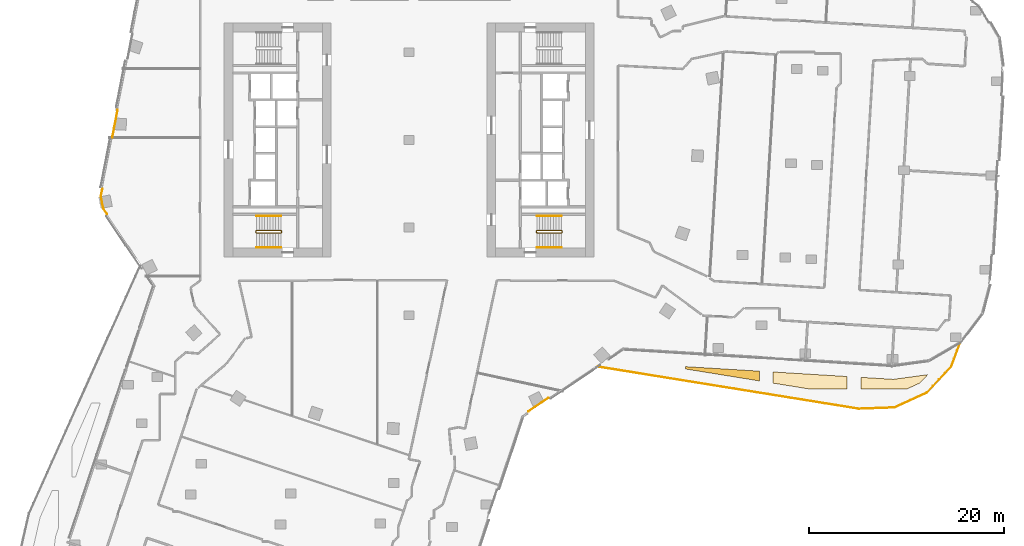
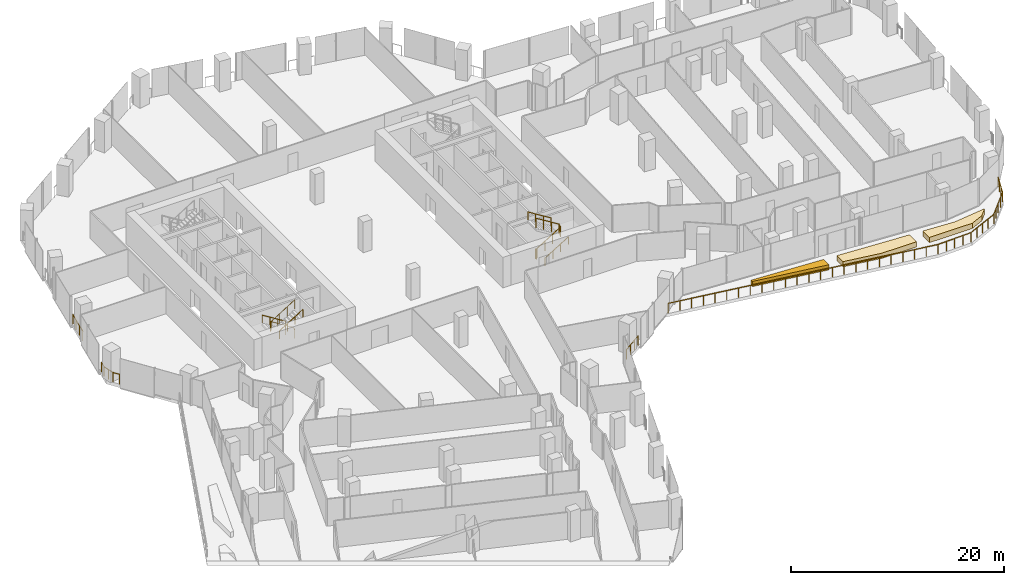
# One storey, part 31 of 34: 10 railings, 3 coverings.
"""IFC4 building model written with IfcOpenShell, lengths in metres."""

from ifc_helpers import new_model, si_unit, direction, frame, origin, origin_2d, place, context, subcontext, project, spatial, polyline, circle, outline, extrude, material, layer, layer_set, type_object, element, save


model = new_model("IFC4")

# Units and contexts
model_context = context("Model", 3, precision=1e-05, world=origin(), true_north=direction((0.0, 1.0)))
body_context = subcontext(model_context, "Body", "Model", "MODEL_VIEW")
ifc_project = project(units=[si_unit("LENGTHUNIT", "METRE"), si_unit("AREAUNIT", "SQUARE_METRE"), si_unit("VOLUMEUNIT", "CUBIC_METRE"), si_unit("PLANEANGLEUNIT", "RADIAN"), si_unit("MASSUNIT", "GRAM", prefix="KILO")], contexts=[model_context])

# Site, building, storey
site_placement = place(None, origin())
site = spatial("IfcSite", under=ifc_project, at=site_placement, CompositionType="ELEMENT")
building_placement = place(site_placement, origin())
building = spatial("IfcBuilding", under=site, at=building_placement, Name="Orlundy Tower", CompositionType="ELEMENT")
storey_placement = place(building_placement, frame((0.0, 0.0, 145.60009765625)))
storey = spatial("IfcBuildingStorey", under=building, at=storey_placement, Name="L37", CompositionType="ELEMENT", Elevation=145.60009765625)

# Coverings
ifc_material_1 = material(Name="Planted soil in precast concrete trough", Category="concrete")
ifc_layer = layer(ifc_material_1, 0.60009765625)
ifc_layer_set = layer_set([ifc_layer], Name="PLANTER box")
covering_type = type_object("IfcCoveringType", Name="PLANTER box", PredefinedType="USERDEFINED", material=ifc_layer_set)
covering_1_placement = place(storey_placement, origin())
element("IfcCovering", 1, at=covering_1_placement, inside=storey, type_object=covering_type, Name="PLANTER L37-00", ObjectType="PLANTER", PredefinedType="USERDEFINED", context=body_context, shape_type="SweptSolid", body=[
    extrude(outline(polyline([(28.39990234375, -23.52392578125), (28.39990234375, -23.277099609375), (36.0, -23.741943359375), (36.0, -24.7509765625), (28.39990234375, -23.52392578125)])), origin(), (0.0, 0.0, 1.0), 0.599853515625),
])
covering_2_placement = place(storey_placement, origin())
element("IfcCovering", 2, at=covering_2_placement, inside=storey, type_object=covering_type, Name="PLANTER L37-01", ObjectType="PLANTER", PredefinedType="USERDEFINED", context=body_context, shape_type="SweptSolid", body=[
    extrude(outline(polyline([(37.39990234375, -24.97705078125), (37.39990234375, -23.826904296875), (45.0, -24.2919921875), (45.0, -25.60009765625), (41.261962890625, -25.60009765625), (37.39990234375, -24.97705078125)])), origin(), (0.0, 0.0, 1.0), 0.599853515625),
])
covering_3_placement = place(storey_placement, origin())
element("IfcCovering", 3, at=covering_3_placement, inside=storey, type_object=covering_type, Name="PLANTER L37-02", ObjectType="PLANTER", PredefinedType="USERDEFINED", context=body_context, shape_type="SweptSolid", body=[
    extrude(outline(polyline([(51.071044921875, -25.60009765625), (46.39990234375, -25.60009765625), (46.39990234375, -24.3779296875), (49.739990234375, -24.58203125), (53.27099609375, -24.10205078125), (52.47412109375, -24.9580078125), (51.071044921875, -25.60009765625)])), origin(), (0.0, 0.0, 1.0), 0.599853515625),
])

# Railings
ifc_material_2 = material(Name="Steel balustrade", Category="steel")
railing_type_1 = type_object("IfcRailingType", Name="Stair Guard 1100", PredefinedType="GUARDRAIL", material=ifc_material_2)
railing_1_placement = place(storey_placement, frame((-13.090087890625, -9.35009765625, 0.0)))
element("IfcRailing", 4, at=railing_1_placement, inside=storey, type_object=railing_type_1, Name="L37 ST-W2 stair guard 1", PredefinedType="GUARDRAIL", context=body_context, shape_type="SweptSolid", body=[
    extrude(circle(Radius=0.02392578125, at=origin_2d()), frame((0.0, 0.0, 1.076171875), z_axis=(0.0, -1.0, 0.0), x_axis=(1.0, 0.0, 0.0)), (0.0, 0.0, 1.0), 0.14990234375),
    extrude(circle(Radius=0.02392578125, at=origin_2d()), frame((0.0, -0.14990234375, 1.076171875), z_axis=(-0.184313129624, 0.739963005698, 0.646902945152), x_axis=(-0.970351222016, -0.241699205484, 0.0)), (0.0, 0.0, 1.0), 0.270263671875),
    extrude(circle(Radius=0.02392578125, at=origin_2d()), frame((-0.0498046875, 0.050048828125, 1.2509765625), z_axis=(-0.847970611238, 0.0, 0.530043245855), x_axis=(0.0, -1.0, 0.0)), (0.0, 0.0, 1.0), 2.971923828125),
    extrude(circle(Radius=0.02392578125, at=origin_2d()), frame((-2.56982421875, 0.050048828125, 2.826171875), z_axis=(-0.707106781187, -0.707106781187, 0.0), x_axis=(0.707106781187, -0.707106781187, 0.0)), (0.0, 0.0, 1.0), 0.07080078125),
    extrude(circle(Radius=0.02392578125, at=origin_2d()), frame((-2.619873046875, 0.0, 2.826171875), z_axis=(0.0, -1.0, 0.0), x_axis=(1.0, 0.0, 0.0)), (0.0, 0.0, 1.0), 0.14990234375),
    extrude(circle(Radius=0.02392578125, at=origin_2d()), frame((-2.619873046875, -0.14990234375, 2.826171875), z_axis=(0.265383341853, -0.265383341853, 0.926899867156), x_axis=(0.707106781187, 0.707106781187, 0.0)), (0.0, 0.0, 1.0), 0.1884765625),
    extrude(circle(Radius=0.02392578125, at=origin_2d()), frame((-2.56982421875, -0.199951171875, 3.0009765625), z_axis=(0.847970611238, 0.0, 0.530043245855), x_axis=(0.0, 1.0, 0.0)), (0.0, 0.0, 1.0), 2.971923828125),
    extrude(circle(Radius=0.02099609375, at=origin_2d()), origin(), (0.0, 0.0, 1.0), 1.052001953125),
    extrude(circle(Radius=0.02099609375, at=origin_2d()), frame((0.0, -0.14990234375, 0.0)), (0.0, 0.0, 1.0), 1.052001953125),
    extrude(circle(Radius=0.02099609375, at=origin_2d()), frame((-0.0498046875, 0.050048828125, 0.1748046875)), (0.0, 0.0, 1.0), 1.052001953125),
    extrude(circle(Radius=0.02099609375, at=origin_2d()), frame((-0.889892578125, 0.050048828125, 0.699951171875)), (0.0, 0.0, 1.0), 1.052001953125),
    extrude(circle(Radius=0.02099609375, at=origin_2d()), frame((-1.729736328125, 0.050048828125, 1.224853515625)), (0.0, 0.0, 1.0), 1.052001953125),
    extrude(circle(Radius=0.02099609375, at=origin_2d()), frame((-2.56982421875, 0.050048828125, 1.75)), (0.0, 0.0, 1.0), 1.052001953125),
    extrude(circle(Radius=0.02099609375, at=origin_2d()), frame((-2.619873046875, 0.0, 1.75)), (0.0, 0.0, 1.0), 1.052001953125),
    extrude(circle(Radius=0.02099609375, at=origin_2d()), frame((-2.619873046875, -0.14990234375, 1.75)), (0.0, 0.0, 1.0), 1.052001953125),
    extrude(circle(Radius=0.02099609375, at=origin_2d()), frame((-2.56982421875, -0.199951171875, 1.9248046875)), (0.0, 0.0, 1.0), 1.052001953125),
    extrude(circle(Radius=0.02099609375, at=origin_2d()), frame((-1.729736328125, -0.199951171875, 2.449951171875)), (0.0, 0.0, 1.0), 1.052001953125),
    extrude(circle(Radius=0.02099609375, at=origin_2d()), frame((-0.889892578125, -0.199951171875, 2.974853515625)), (0.0, 0.0, 1.0), 1.052001953125),
    extrude(circle(Radius=0.02099609375, at=origin_2d()), frame((-0.0498046875, -0.199951171875, 3.5)), (0.0, 0.0, 1.0), 1.052001953125),
])
railing_2_placement = place(storey_placement, frame((13.090087890625, -9.5, 0.0)))
element("IfcRailing", 5, at=railing_2_placement, inside=storey, type_object=railing_type_1, Name="L37 ST-E1 stair guard 1", PredefinedType="GUARDRAIL", context=body_context, shape_type="SweptSolid", body=[
    extrude(circle(Radius=0.02392578125, at=origin_2d()), frame((0.0, 0.0, 1.076171875), z_axis=(0.0, 1.0, 0.0), x_axis=(-1.0, 0.0, 0.0)), (0.0, 0.0, 1.0), 0.14990234375),
    extrude(circle(Radius=0.02392578125, at=origin_2d()), frame((0.0, 0.14990234375, 1.076171875), z_axis=(0.184313129624, -0.739963005698, 0.646902945152), x_axis=(0.970351222016, 0.241699205484, 0.0)), (0.0, 0.0, 1.0), 0.270263671875),
    extrude(circle(Radius=0.02392578125, at=origin_2d()), frame((0.0498046875, -0.050048828125, 1.2509765625), z_axis=(0.847970611238, 0.0, 0.530043245855), x_axis=(0.0, 1.0, 0.0)), (0.0, 0.0, 1.0), 2.971923828125),
    extrude(circle(Radius=0.02392578125, at=origin_2d()), frame((2.56982421875, -0.050048828125, 2.826171875), z_axis=(0.707106781187, 0.707106781187, 0.0), x_axis=(-0.707106781187, 0.707106781187, 0.0)), (0.0, 0.0, 1.0), 0.07080078125),
    extrude(circle(Radius=0.02392578125, at=origin_2d()), frame((2.619873046875, 0.0, 2.826171875), z_axis=(0.0, 1.0, 0.0), x_axis=(-1.0, 0.0, 0.0)), (0.0, 0.0, 1.0), 0.14990234375),
    extrude(circle(Radius=0.02392578125, at=origin_2d()), frame((2.619873046875, 0.14990234375, 2.826171875), z_axis=(-0.265383341853, 0.265383341853, 0.926899867156), x_axis=(-0.707106781187, -0.707106781187, 0.0)), (0.0, 0.0, 1.0), 0.1884765625),
    extrude(circle(Radius=0.02392578125, at=origin_2d()), frame((2.56982421875, 0.199951171875, 3.0009765625), z_axis=(-0.847970611238, 0.0, 0.530043245855), x_axis=(0.0, -1.0, 0.0)), (0.0, 0.0, 1.0), 2.971923828125),
    extrude(circle(Radius=0.02099609375, at=origin_2d()), origin(), (0.0, 0.0, 1.0), 1.052001953125),
    extrude(circle(Radius=0.02099609375, at=origin_2d()), frame((0.0, 0.14990234375, 0.0)), (0.0, 0.0, 1.0), 1.052001953125),
    extrude(circle(Radius=0.02099609375, at=origin_2d()), frame((0.0498046875, -0.050048828125, 0.1748046875)), (0.0, 0.0, 1.0), 1.052001953125),
    extrude(circle(Radius=0.02099609375, at=origin_2d()), frame((0.889892578125, -0.050048828125, 0.699951171875)), (0.0, 0.0, 1.0), 1.052001953125),
    extrude(circle(Radius=0.02099609375, at=origin_2d()), frame((1.729736328125, -0.050048828125, 1.224853515625)), (0.0, 0.0, 1.0), 1.052001953125),
    extrude(circle(Radius=0.02099609375, at=origin_2d()), frame((2.56982421875, -0.050048828125, 1.75)), (0.0, 0.0, 1.0), 1.052001953125),
    extrude(circle(Radius=0.02099609375, at=origin_2d()), frame((2.619873046875, 0.0, 1.75)), (0.0, 0.0, 1.0), 1.052001953125),
    extrude(circle(Radius=0.02099609375, at=origin_2d()), frame((2.619873046875, 0.14990234375, 1.75)), (0.0, 0.0, 1.0), 1.052001953125),
    extrude(circle(Radius=0.02099609375, at=origin_2d()), frame((2.56982421875, 0.199951171875, 1.9248046875)), (0.0, 0.0, 1.0), 1.052001953125),
    extrude(circle(Radius=0.02099609375, at=origin_2d()), frame((1.729736328125, 0.199951171875, 2.449951171875)), (0.0, 0.0, 1.0), 1.052001953125),
    extrude(circle(Radius=0.02099609375, at=origin_2d()), frame((0.889892578125, 0.199951171875, 2.974853515625)), (0.0, 0.0, 1.0), 1.052001953125),
    extrude(circle(Radius=0.02099609375, at=origin_2d()), frame((0.0498046875, 0.199951171875, 3.5)), (0.0, 0.0, 1.0), 1.052001953125),
])
ifc_material_3 = material(Name="Steel handrail", Category="steel")
railing_type_2 = type_object("IfcRailingType", Name="Stair Handrail 900", PredefinedType="HANDRAIL", material=ifc_material_3)
railing_3_placement = place(storey_placement, frame((-13.139892578125, -7.800048828125, 0.1748046875)))
element("IfcRailing", 6, at=railing_3_placement, inside=storey, type_object=railing_type_2, Name="L37 ST-W2 stair handrail 1", PredefinedType="HANDRAIL", context=body_context, shape_type="SweptSolid", body=[
    extrude(circle(Radius=0.02392578125, at=origin_2d()), frame((0.0, 0.0, 0.8759765625), z_axis=(-0.847970611238, 0.0, 0.530043245855), x_axis=(0.0, -1.0, 0.0)), (0.0, 0.0, 1.0), 2.971923828125),
    extrude(circle(Radius=0.02099609375, at=origin_2d()), origin(), (0.0, 0.0, 1.0), 0.851806640625),
    extrude(circle(Radius=0.02099609375, at=origin_2d()), frame((-0.840087890625, 0.0, 0.525146484375)), (0.0, 0.0, 1.0), 0.851806640625),
    extrude(circle(Radius=0.02099609375, at=origin_2d()), frame((-1.679931640625, 0.0, 1.050048828125)), (0.0, 0.0, 1.0), 0.851806640625),
    extrude(circle(Radius=0.02099609375, at=origin_2d()), frame((-2.52001953125, 0.0, 1.5751953125)), (0.0, 0.0, 1.0), 0.851806640625),
])
for number, where, name in (
    (7, (-15.659912109375, -11.050048828125, 1.9248046875), "L37 ST-W2 stair handrail 2"),
    (8, (13.139892578125, -11.050048828125, 0.1748046875), "L37 ST-E1 stair handrail 1"),
):
    element("IfcRailing", number, at=place(storey_placement, frame(where)), inside=storey, type_object=railing_type_2, Name=name, PredefinedType="HANDRAIL", context=body_context, shape_type="SweptSolid", body=[
        extrude(circle(Radius=0.02392578125, at=origin_2d()), frame((0.0, 0.0, 0.8759765625), z_axis=(0.847970611238, 0.0, 0.530043245855), x_axis=(0.0, 1.0, 0.0)), (0.0, 0.0, 1.0), 2.971923828125),
        extrude(circle(Radius=0.02099609375, at=origin_2d()), origin(), (0.0, 0.0, 1.0), 0.851806640625),
        extrude(circle(Radius=0.02099609375, at=origin_2d()), frame((0.840087890625, 0.0, 0.525146484375)), (0.0, 0.0, 1.0), 0.851806640625),
        extrude(circle(Radius=0.02099609375, at=origin_2d()), frame((1.679931640625, 0.0, 1.050048828125)), (0.0, 0.0, 1.0), 0.851806640625),
        extrude(circle(Radius=0.02099609375, at=origin_2d()), frame((2.52001953125, 0.0, 1.5751953125)), (0.0, 0.0, 1.0), 0.851806640625),
    ])
railing_4_placement = place(storey_placement, frame((15.659912109375, -7.800048828125, 1.9248046875)))
element("IfcRailing", 9, at=railing_4_placement, inside=storey, type_object=railing_type_2, Name="L37 ST-E1 stair handrail 2", PredefinedType="HANDRAIL", context=body_context, shape_type="SweptSolid", body=[
    extrude(circle(Radius=0.02392578125, at=origin_2d()), frame((0.0, 0.0, 0.8759765625), z_axis=(-0.847970611238, 0.0, 0.530043245855), x_axis=(0.0, -1.0, 0.0)), (0.0, 0.0, 1.0), 2.971923828125),
    extrude(circle(Radius=0.02099609375, at=origin_2d()), origin(), (0.0, 0.0, 1.0), 0.851806640625),
    extrude(circle(Radius=0.02099609375, at=origin_2d()), frame((-0.840087890625, 0.0, 0.525146484375)), (0.0, 0.0, 1.0), 0.851806640625),
    extrude(circle(Radius=0.02099609375, at=origin_2d()), frame((-1.679931640625, 0.0, 1.050048828125)), (0.0, 0.0, 1.0), 0.851806640625),
    extrude(circle(Radius=0.02099609375, at=origin_2d()), frame((-2.52001953125, 0.0, 1.5751953125)), (0.0, 0.0, 1.0), 0.851806640625),
])
ifc_material_4 = material(Name="Stainless steel bronze finish", Category="steel")
railing_type_3 = type_object("IfcRailingType", Name="TG1 terrace guard", PredefinedType="GUARDRAIL", material=ifc_material_4)
railing_5_placement = place(storey_placement, frame((-30.470947265625, 0.256591796875, 0.0)))
element("IfcRailing", 10, at=railing_5_placement, inside=storey, type_object=railing_type_3, Name="Guard TG-L37-E08", PredefinedType="GUARDRAIL", context=body_context, shape_type="SweptSolid", body=[
    extrude(circle(Radius=0.02490234375, at=origin_2d()), frame((0.0, 0.0, 1.09521484375), z_axis=(0.190792421769, 0.981630404885, 0.0), x_axis=(-0.981630404885, 0.190792421769, 0.0)), (0.0, 0.0, 1.0), 2.87646484375),
    extrude(circle(Radius=0.02001953125, at=origin_2d()), origin(), (0.0, 0.0, 1.0), 1.070068359375),
    extrude(circle(Radius=0.02001953125, at=origin_2d()), frame((0.182861328125, 0.941162109375, 0.0)), (0.0, 0.0, 1.0), 1.070068359375),
    extrude(circle(Radius=0.02001953125, at=origin_2d()), frame((0.365966796875, 1.882568359375, 0.0)), (0.0, 0.0, 1.0), 1.070068359375),
    extrude(circle(Radius=0.02001953125, at=origin_2d()), frame((0.548828125, 2.82373046875, 0.0)), (0.0, 0.0, 1.0), 1.070068359375),
])
railing_6_placement = place(storey_placement, frame((-31.014404296875, -7.5966796875, 0.0)))
element("IfcRailing", 11, at=railing_6_placement, inside=storey, type_object=railing_type_3, Name="Guard TG-L37-E015", PredefinedType="GUARDRAIL", context=body_context, shape_type="SweptSolid", body=[
    extrude(circle(Radius=0.02490234375, at=origin_2d()), frame((0.0, 0.0, 1.09521484375), z_axis=(-0.559227345693, 0.829014339942, 0.0), x_axis=(-0.829014339942, -0.559227345693, 0.0)), (0.0, 0.0, 1.0), 0.683349609375),
    extrude(circle(Radius=0.02490234375, at=origin_2d()), frame((-0.382080078125, 0.56640625, 1.09521484375), z_axis=(-0.199208223415, 0.979957184638, 0.0), x_axis=(-0.979957184638, -0.199208223415, 0.0)), (0.0, 0.0, 1.0), 1.259765625),
    extrude(circle(Radius=0.02490234375, at=origin_2d()), frame((-0.633056640625, 1.801025390625, 1.09521484375), z_axis=(0.190750922801, 0.98163846983, 0.0), x_axis=(-0.98163846983, 0.190750922801, 0.0)), (0.0, 0.0, 1.0), 0.7705078125),
    extrude(circle(Radius=0.02001953125, at=origin_2d()), origin(), (0.0, 0.0, 1.0), 1.070068359375),
    extrude(circle(Radius=0.02001953125, at=origin_2d()), frame((-0.382080078125, 0.56640625, 0.0)), (0.0, 0.0, 1.0), 1.070068359375),
    extrude(circle(Radius=0.02001953125, at=origin_2d()), frame((-0.507568359375, 1.18359375, 0.0)), (0.0, 0.0, 1.0), 1.070068359375),
    extrude(circle(Radius=0.02001953125, at=origin_2d()), frame((-0.633056640625, 1.801025390625, 0.0)), (0.0, 0.0, 1.0), 1.070068359375),
    extrude(circle(Radius=0.02001953125, at=origin_2d()), frame((-0.486083984375, 2.557373046875, 0.0)), (0.0, 0.0, 1.0), 1.070068359375),
])
railing_7_placement = place(storey_placement, frame((14.313232421875, -26.48388671875, 0.0)))
element("IfcRailing", 12, at=railing_7_placement, inside=storey, type_object=railing_type_3, Name="Guard TG-L37-E019", PredefinedType="GUARDRAIL", context=body_context, shape_type="SweptSolid", body=[
    extrude(circle(Radius=0.02490234375, at=origin_2d()), frame((0.0, 0.0, 1.09521484375), z_axis=(-0.829063620533, -0.559154283815, 0.0), x_axis=(0.559154283815, -0.829063620533, 0.0)), (0.0, 0.0, 1.0), 2.474853515625),
    extrude(circle(Radius=0.02001953125, at=origin_2d()), origin(), (0.0, 0.0, 1.0), 1.070068359375),
    extrude(circle(Radius=0.02001953125, at=origin_2d()), frame((-0.683837890625, -0.461181640625, 0.0)), (0.0, 0.0, 1.0), 1.070068359375),
    extrude(circle(Radius=0.02001953125, at=origin_2d()), frame((-1.367919921875, -0.922607421875, 0.0)), (0.0, 0.0, 1.0), 1.070068359375),
    extrude(circle(Radius=0.02001953125, at=origin_2d()), frame((-2.0517578125, -1.3837890625, 0.0)), (0.0, 0.0, 1.0), 1.070068359375),
])
railing_8_placement = place(storey_placement, frame((56.572021484375, -20.88623046875, 0.0)))
element("IfcRailing", 13, at=railing_8_placement, inside=storey, type_object=railing_type_3, Name="Guard TG-L37-00", PredefinedType="GUARDRAIL", context=body_context, shape_type="SweptSolid", body=[
    extrude(circle(Radius=0.02490234375, at=origin_2d()), frame((0.0, 0.0, 1.09521484375), z_axis=(-0.348708166427, -0.937231355999, 0.0), x_axis=(0.937231355999, -0.348708166427, 0.0)), (0.0, 0.0, 1.0), 2.5380859375),
    extrude(circle(Radius=0.02490234375, at=origin_2d()), frame((-0.885009765625, -2.378662109375, 1.09521484375), z_axis=(-0.681007643631, -0.732276306674, 0.0), x_axis=(0.732276306674, -0.681007643631, 0.0)), (0.0, 0.0, 1.0), 3.666748046875),
    extrude(circle(Radius=0.02490234375, at=origin_2d()), frame((-3.382080078125, -5.063720703125, 1.09521484375), z_axis=(-0.909266473406, -0.416214464357, 0.0), x_axis=(0.416214464357, -0.909266473406, 0.0)), (0.0, 0.0, 1.0), 3.666748046875),
    extrude(circle(Radius=0.02490234375, at=origin_2d()), frame((-6.716064453125, -6.58984375, 1.09521484375), z_axis=(-0.99933559089, -0.036446903567, 0.0), x_axis=(0.036446903567, -0.99933559089, 0.0)), (0.0, 0.0, 1.0), 3.677490234375),
    extrude(circle(Radius=0.02490234375, at=origin_2d()), frame((-10.39111328125, -6.723876953125, 1.09521484375), z_axis=(-0.987225640817, 0.15932838452, 0.0), x_axis=(-0.15932838452, -0.987225640817, 0.0)), (0.0, 0.0, 1.0), 27.120361328125),
    extrude(circle(Radius=0.02001953125, at=origin_2d()), origin(), (0.0, 0.0, 1.0), 1.070068359375),
    extrude(circle(Radius=0.02001953125, at=origin_2d()), frame((-0.294921875, -0.79296875, 0.0)), (0.0, 0.0, 1.0), 1.070068359375),
    extrude(circle(Radius=0.02001953125, at=origin_2d()), frame((-0.590087890625, -1.585693359375, 0.0)), (0.0, 0.0, 1.0), 1.070068359375),
    extrude(circle(Radius=0.02001953125, at=origin_2d()), frame((-0.885009765625, -2.378662109375, 0.0)), (0.0, 0.0, 1.0), 1.070068359375),
    extrude(circle(Radius=0.02001953125, at=origin_2d()), frame((-1.50927734375, -3.0498046875, 0.0)), (0.0, 0.0, 1.0), 1.070068359375),
    extrude(circle(Radius=0.02001953125, at=origin_2d()), frame((-2.133544921875, -3.72119140625, 0.0)), (0.0, 0.0, 1.0), 1.070068359375),
    extrude(circle(Radius=0.02001953125, at=origin_2d()), frame((-2.7578125, -4.392578125, 0.0)), (0.0, 0.0, 1.0), 1.070068359375),
    extrude(circle(Radius=0.02001953125, at=origin_2d()), frame((-3.382080078125, -5.063720703125, 0.0)), (0.0, 0.0, 1.0), 1.070068359375),
    extrude(circle(Radius=0.02001953125, at=origin_2d()), frame((-4.215576171875, -5.4453125, 0.0)), (0.0, 0.0, 1.0), 1.070068359375),
    extrude(circle(Radius=0.02001953125, at=origin_2d()), frame((-5.049072265625, -5.82666015625, 0.0)), (0.0, 0.0, 1.0), 1.070068359375),
    extrude(circle(Radius=0.02001953125, at=origin_2d()), frame((-5.882568359375, -6.208251953125, 0.0)), (0.0, 0.0, 1.0), 1.070068359375),
    extrude(circle(Radius=0.02001953125, at=origin_2d()), frame((-6.716064453125, -6.58984375, 0.0)), (0.0, 0.0, 1.0), 1.070068359375),
    extrude(circle(Radius=0.02001953125, at=origin_2d()), frame((-7.634765625, -6.623291015625, 0.0)), (0.0, 0.0, 1.0), 1.070068359375),
    extrude(circle(Radius=0.02001953125, at=origin_2d()), frame((-8.5537109375, -6.65673828125, 0.0)), (0.0, 0.0, 1.0), 1.070068359375),
    extrude(circle(Radius=0.02001953125, at=origin_2d()), frame((-9.472412109375, -6.6904296875, 0.0)), (0.0, 0.0, 1.0), 1.070068359375),
    extrude(circle(Radius=0.02001953125, at=origin_2d()), frame((-10.39111328125, -6.723876953125, 0.0)), (0.0, 0.0, 1.0), 1.070068359375),
    extrude(circle(Radius=0.02001953125, at=origin_2d()), frame((-11.55517578125, -6.535888671875, 0.0)), (0.0, 0.0, 1.0), 1.070068359375),
    extrude(circle(Radius=0.02001953125, at=origin_2d()), frame((-12.71923828125, -6.34814453125, 0.0)), (0.0, 0.0, 1.0), 1.070068359375),
    extrude(circle(Radius=0.02001953125, at=origin_2d()), frame((-13.88330078125, -6.16015625, 0.0)), (0.0, 0.0, 1.0), 1.070068359375),
    extrude(circle(Radius=0.02001953125, at=origin_2d()), frame((-15.04736328125, -5.972412109375, 0.0)), (0.0, 0.0, 1.0), 1.070068359375),
    extrude(circle(Radius=0.02001953125, at=origin_2d()), frame((-16.21142578125, -5.784423828125, 0.0)), (0.0, 0.0, 1.0), 1.070068359375),
    extrude(circle(Radius=0.02001953125, at=origin_2d()), frame((-17.375732421875, -5.5966796875, 0.0)), (0.0, 0.0, 1.0), 1.070068359375),
    extrude(circle(Radius=0.02001953125, at=origin_2d()), frame((-18.539794921875, -5.40869140625, 0.0)), (0.0, 0.0, 1.0), 1.070068359375),
    extrude(circle(Radius=0.02001953125, at=origin_2d()), frame((-19.703857421875, -5.220947265625, 0.0)), (0.0, 0.0, 1.0), 1.070068359375),
    extrude(circle(Radius=0.02001953125, at=origin_2d()), frame((-20.867919921875, -5.032958984375, 0.0)), (0.0, 0.0, 1.0), 1.070068359375),
    extrude(circle(Radius=0.02001953125, at=origin_2d()), frame((-22.031982421875, -4.84521484375, 0.0)), (0.0, 0.0, 1.0), 1.070068359375),
    extrude(circle(Radius=0.02001953125, at=origin_2d()), frame((-23.196044921875, -4.6572265625, 0.0)), (0.0, 0.0, 1.0), 1.070068359375),
    extrude(circle(Radius=0.02001953125, at=origin_2d()), frame((-24.360107421875, -4.469482421875, 0.0)), (0.0, 0.0, 1.0), 1.070068359375),
    extrude(circle(Radius=0.02001953125, at=origin_2d()), frame((-25.524169921875, -4.281494140625, 0.0)), (0.0, 0.0, 1.0), 1.070068359375),
    extrude(circle(Radius=0.02001953125, at=origin_2d()), frame((-26.688232421875, -4.09375, 0.0)), (0.0, 0.0, 1.0), 1.070068359375),
    extrude(circle(Radius=0.02001953125, at=origin_2d()), frame((-27.852294921875, -3.90576171875, 0.0)), (0.0, 0.0, 1.0), 1.070068359375),
    extrude(circle(Radius=0.02001953125, at=origin_2d()), frame((-29.016357421875, -3.718017578125, 0.0)), (0.0, 0.0, 1.0), 1.070068359375),
    extrude(circle(Radius=0.02001953125, at=origin_2d()), frame((-30.180419921875, -3.530029296875, 0.0)), (0.0, 0.0, 1.0), 1.070068359375),
    extrude(circle(Radius=0.02001953125, at=origin_2d()), frame((-31.3447265625, -3.34228515625, 0.0)), (0.0, 0.0, 1.0), 1.070068359375),
    extrude(circle(Radius=0.02001953125, at=origin_2d()), frame((-32.5087890625, -3.154296875, 0.0)), (0.0, 0.0, 1.0), 1.070068359375),
    extrude(circle(Radius=0.02001953125, at=origin_2d()), frame((-33.6728515625, -2.966552734375, 0.0)), (0.0, 0.0, 1.0), 1.070068359375),
    extrude(circle(Radius=0.02001953125, at=origin_2d()), frame((-34.8369140625, -2.778564453125, 0.0)), (0.0, 0.0, 1.0), 1.070068359375),
    extrude(circle(Radius=0.02001953125, at=origin_2d()), frame((-36.0009765625, -2.5908203125, 0.0)), (0.0, 0.0, 1.0), 1.070068359375),
    extrude(circle(Radius=0.02001953125, at=origin_2d()), frame((-37.1650390625, -2.40283203125, 0.0)), (0.0, 0.0, 1.0), 1.070068359375),
])

save(model, "model.ifc")
